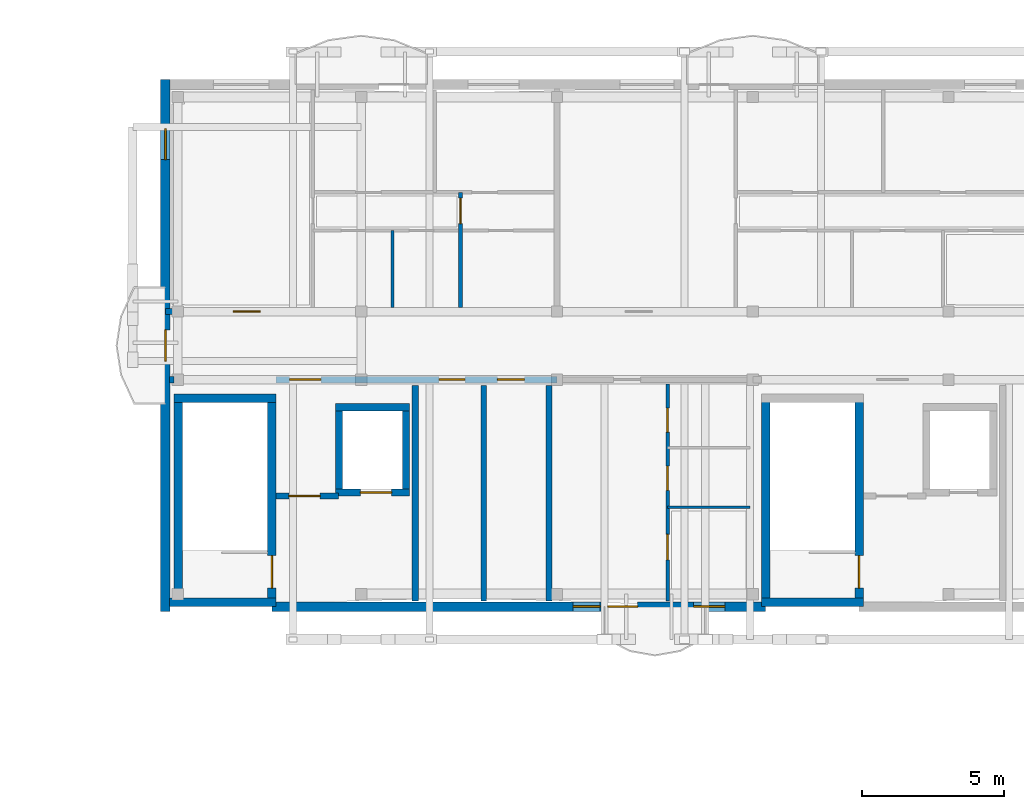
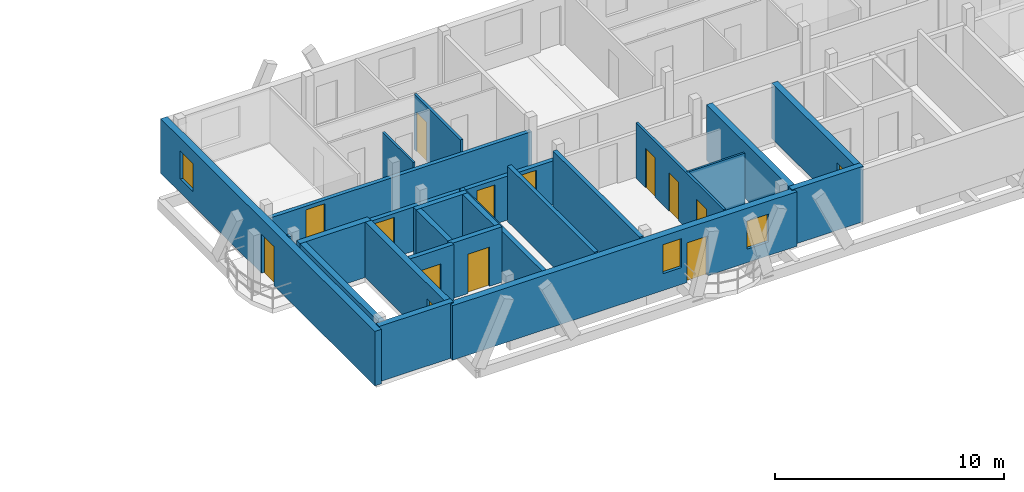
# One storey, part 18 of 29: 24 walls, 14 doors, 3 windows, 17 openings.
"""IFC4 building model written with IfcOpenShell, lengths in metres."""

import ifcopenshell
import ifcopenshell.guid

model = None  # the IFC model being written
_history = None  # IfcOwnerHistory: only IFC2X3 demands one
_inside = {}  # id of a spatial element -> (the spatial element, [elements in it])
_under = {}  # id of a project, library or spatial element -> (it, [spatial elements below it])
_declared = {}  # id of a project -> (the project, [libraries it declares])
_typed = {}  # id of a type object -> (the type object, [elements of that type])
_made_of = {}  # id of a material, layer set ... -> (it, [elements and type objects made of it])


def new_model(schema):
    """Start an empty IFC model of exactly this schema.

    Asked for "IFC4X3", IfcOpenShell would pick the latest addendum, in which some entities
    have other attributes; the version numbers below select the first issue.
    IFC2X3 requires an IfcOwnerHistory on every rooted entity: one is made here for all.
    """
    global model, _history
    if schema == "IFC4X3":
        model = ifcopenshell.file(schema_version=(4, 3, 0, 0))
    else:
        model = ifcopenshell.file(schema=schema)
    _inside.clear()
    _under.clear()
    _declared.clear()
    _typed.clear()
    _made_of.clear()
    _history = None
    if model.schema == "IFC2X3":
        org = make("IfcOrganization", Name="unknown")
        user = make(
            "IfcPersonAndOrganization",
            ThePerson=make("IfcPerson", FamilyName="unknown"),
            TheOrganization=org,
        )
        app = make(
            "IfcApplication",
            ApplicationDeveloper=org,
            Version="unknown",
            ApplicationFullName="unknown",
            ApplicationIdentifier="unknown",
        )
        _history = make(
            "IfcOwnerHistory",
            OwningUser=user,
            OwningApplication=app,
            ChangeAction="ADDED",
            CreationDate=0,
        )
    return model


def make(cls, **values):
    """One entity of the class cls with the attributes given. An attribute that is None is left unset."""
    return model.create_entity(
        cls, **{name: value for name, value in values.items() if value is not None}
    )


def rooted(cls, **values):
    """An entity with a GlobalId (a new one), such as an element, a storey or a relation."""
    return make(cls, GlobalId=ifcopenshell.guid.new(), OwnerHistory=_history, **values)


def si_unit(unit_type, name, prefix=None):
    """IfcSIUnit, for example si_unit("LENGTHUNIT", "METRE", prefix="MILLI")."""
    return make("IfcSIUnit", UnitType=unit_type, Prefix=prefix, Name=name)


def assignment(units):
    """IfcUnitAssignment: the units of a project."""
    return None if units is None else make("IfcUnitAssignment", Units=units)


def point(xyz):
    """IfcCartesianPoint."""
    return None if xyz is None else make("IfcCartesianPoint", Coordinates=xyz)


def direction(xyz):
    """IfcDirection."""
    return None if xyz is None else make("IfcDirection", DirectionRatios=xyz)


def frame(location, z_axis=None, x_axis=None):
    """IfcAxis2Placement3D, a coordinate frame: its origin and axes. An axis left out is left unset."""
    return make(
        "IfcAxis2Placement3D",
        Location=point(location),
        Axis=direction(z_axis),
        RefDirection=direction(x_axis),
    )


def frame_2d(location, x_axis=None):
    """IfcAxis2Placement2D, a coordinate frame in the plane: its origin and x axis."""
    return make(
        "IfcAxis2Placement2D", Location=point(location), RefDirection=direction(x_axis)
    )


def origin():
    """The frame at (0, 0, 0) with its axes left unset."""
    return frame((0.0, 0.0, 0.0))


def origin_with_axes():
    """The frame at (0, 0, 0) with the z axis (0, 0, 1) and the x axis (1, 0, 0) written out."""
    return frame((0.0, 0.0, 0.0), z_axis=(0.0, 0.0, 1.0), x_axis=(1.0, 0.0, 0.0))


def place(relative_to, where):
    """IfcLocalPlacement: puts the frame where relative to a parent placement (None: the world)."""
    return make(
        "IfcLocalPlacement", PlacementRelTo=relative_to, RelativePlacement=where
    )


def context(
    kind, dimensions, precision=None, world=None, true_north=None, identifier=None
):
    """IfcGeometricRepresentationContext, for example the 3D "Model" context."""
    return make(
        "IfcGeometricRepresentationContext",
        ContextIdentifier=identifier,
        ContextType=kind,
        CoordinateSpaceDimension=dimensions,
        Precision=precision,
        WorldCoordinateSystem=world,
        TrueNorth=true_north,
    )


def subcontext(parent, identifier, kind, view, scale=None):
    """IfcGeometricRepresentationSubContext, for example "Body" below "Model"."""
    return make(
        "IfcGeometricRepresentationSubContext",
        ContextIdentifier=identifier,
        ContextType=kind,
        ParentContext=parent,
        TargetScale=scale,
        TargetView=view,
    )


def project(units=None, contexts=None):
    """IfcProject with its units and contexts."""
    return rooted(
        "IfcProject",
        Name="project",
        RepresentationContexts=contexts,
        UnitsInContext=assignment(units),
    )


def spatial(cls, under=None, at=None, **own):
    """A site, building, storey or space (cls), placed at a placement, below another one or the project."""
    s = rooted(cls, ObjectPlacement=at, **own)
    if under is not None:
        _under.setdefault(under.id(), (under, []))[1].append(s)
    return s


def profile(cls, at=None, kind="AREA", **sizes):
    """A parametric profile (cls). Its sizes go by their IFC names, for example OverallWidth=200.0."""
    return make(cls, ProfileType=kind, Position=at, **sizes)


def rectangle(**sizes):
    """IfcRectangleProfileDef."""
    return profile("IfcRectangleProfileDef", **sizes)


def extrude(swept, where, along, depth):
    """IfcExtrudedAreaSolid: the profile swept, set in the frame where, extruded along a direction by depth."""
    return make(
        "IfcExtrudedAreaSolid",
        SweptArea=swept,
        Position=where,
        ExtrudedDirection=direction(along),
        Depth=depth,
    )


def shape(context_of_items, identifier, shape_type, items):
    """IfcShapeRepresentation: the items that make up one representation, for example the "Body"."""
    return make(
        "IfcShapeRepresentation",
        ContextOfItems=context_of_items,
        RepresentationIdentifier=identifier,
        RepresentationType=shape_type,
        Items=items,
    )


def material(Name=None, Category=None):
    """IfcMaterial."""
    return make("IfcMaterial", Name=Name, Category=Category)


def layer(
    of_material, thickness, ventilated=None, Name=None, Category=None, Priority=None
):
    """IfcMaterialLayer: one layer of a wall or slab, of a material (None: an air gap)."""
    return make(
        "IfcMaterialLayer",
        Material=of_material,
        LayerThickness=thickness,
        IsVentilated=ventilated,
        Name=Name,
        Category=Category,
        Priority=Priority,
    )


def layer_set(layers, Name=None):
    """IfcMaterialLayerSet."""
    return make("IfcMaterialLayerSet", MaterialLayers=layers, LayerSetName=Name)


def made_of(thing, what):
    """Note that an element or type object is made of a material, layer set ...; save() writes the relation."""
    if what is not None:
        _made_of.setdefault(what.id(), (what, []))[1].append(thing)
    return thing


def type_object(cls, material=None, **own):
    """A type object (cls), such as IfcWallType, which elements share."""
    return made_of(rooted(cls, **own), material)


def element(
    cls,
    number,
    at=None,
    inside=None,
    cuts=None,
    type_object=None,
    material=None,
    context=None,
    identifier="Body",
    shape_type=None,
    held_by="IfcProductDefinitionShape",
    body=None,
    shapes=None,
    **own,
):
    """One element of the class cls, such as IfcWall. Its Tag is "e" and its number.

    at: its placement. inside: the storey or other place that contains it. cuts: it is an
    opening in that element (IfcRelVoidsElement). A single representation is given by context,
    identifier, shape_type and body (its items); several are given by shapes. held_by: the class
    of the entity that holds the representations. save() writes the other relations.
    """
    e = rooted(cls, Tag="e%d" % number, ObjectPlacement=at, **own)
    if body is not None:
        shapes = [shape(context, identifier, shape_type, body)]
    if shapes is not None:
        e.Representation = make(held_by, Representations=shapes)
    if inside is not None:
        _inside.setdefault(inside.id(), (inside, []))[1].append(e)
    if cuts is not None:
        rooted(
            "IfcRelVoidsElement", RelatingBuildingElement=cuts, RelatedOpeningElement=e
        )
    if type_object is not None:
        _typed.setdefault(type_object.id(), (type_object, []))[1].append(e)
    return made_of(e, material)


def fill(opening, filler):
    """IfcRelFillsElement: the door or window that sits in an opening."""
    return rooted(
        "IfcRelFillsElement",
        RelatingOpeningElement=opening,
        RelatedBuildingElement=filler,
    )


def aggregate(whole, parts):
    """IfcRelAggregates: a whole, such as a stair, and the parts it consists of."""
    return rooted("IfcRelAggregates", RelatingObject=whole, RelatedObjects=parts)


def save(model, path):
    """Write the relations noted so far, then the file.

    IfcRelAggregates (storeys below a building ...), IfcRelContainedInSpatialStructure (elements
    in a storey), IfcRelDefinesByType, IfcRelAssociatesMaterial and IfcRelDeclares: one each for
    every whole, place, type object, material and project.
    """
    for whole, parts in _under.values():
        aggregate(whole, parts)
    for where, things in _inside.values():
        rooted(
            "IfcRelContainedInSpatialStructure",
            RelatedElements=things,
            RelatingStructure=where,
        )
    for kind, things in _typed.values():
        rooted("IfcRelDefinesByType", RelatedObjects=things, RelatingType=kind)
    for what, things in _made_of.values():
        rooted("IfcRelAssociatesMaterial", RelatedObjects=things, RelatingMaterial=what)
    for by, libraries in _declared.values():
        rooted("IfcRelDeclares", RelatingContext=by, RelatedDefinitions=libraries)
    model.write(path)


model = new_model("IFC4")

# Units and contexts
model_context = context("Model", 3, precision=1e-05, world=origin(), true_north=direction((0.0, 1.0)))
body_context = subcontext(model_context, "Body", "Model", "MODEL_VIEW")
ifc_project = project(units=[si_unit("LENGTHUNIT", "METRE"), si_unit("AREAUNIT", "SQUARE_METRE"), si_unit("VOLUMEUNIT", "CUBIC_METRE"), si_unit("PLANEANGLEUNIT", "RADIAN"), si_unit("MASSUNIT", "GRAM", prefix="KILO")], contexts=[model_context])

# Site, building, storey
site_placement = place(None, origin())
site = spatial("IfcSite", under=ifc_project, at=site_placement, CompositionType="ELEMENT")
building_placement = place(site_placement, origin())
building = spatial("IfcBuilding", under=site, at=building_placement, Name="Zavelmont Quarter", CompositionType="ELEMENT")
storey_placement = place(building_placement, frame((0.0, 0.0, 33.60009765625)))
storey = spatial("IfcBuildingStorey", under=building, at=storey_placement, Name="L10", CompositionType="ELEMENT", Elevation=33.60009765625)

# Wall, openings, door, windows
ifc_material_1 = material(Name="Natural Belgian limestone", Category="masonry")
ifc_layer_1 = layer(ifc_material_1, 0.340087890625)
ifc_layer_set_1 = layer_set([ifc_layer_1], Name="Natural Belgian limestone")
wall_type_1 = type_object("IfcWallType", Name="EW03", PredefinedType="STANDARD", material=ifc_layer_set_1)
wall_1_placement = place(storey_placement, frame((130.35009765625, 97.60009765625, 0.0), z_axis=(0.0, 0.0, 1.0), x_axis=(1.0, 0.0, 0.0)))
wall_1 = element("IfcWall", 1, at=wall_1_placement, inside=storey, type_object=wall_type_1, Name="L10 exterior limestone wall EW03", PredefinedType="STANDARD", context=body_context, shape_type="SweptSolid", body=[
    extrude(rectangle(XDim=17.39990234375, YDim=0.340087890625, at=frame_2d((8.699951171875, 0.0))), origin(), (0.0, 0.0, 1.0), 2.909912109375),
])
opening_1_placement = place(wall_1_placement, frame((11.843505859375, 0.0, 0.0)))
opening_1 = element("IfcOpeningElement", 2, at=opening_1_placement, cuts=wall_1, Name="Opening DR04A", PredefinedType="OPENING", context=body_context, shape_type="SweptSolid", body=[
    extrude(rectangle(XDim=1.050048828125, YDim=2.1201171875, at=frame_2d((0.52490234375, 1.06005859375))), frame((0.0, 0.18212890625, 0.0), z_axis=(0.0, -1.0, 0.0), x_axis=(1.0, 0.0, 0.0)), (0.0, 0.0, 1.0), 0.364013671875),
])
opening_2_placement = place(wall_1_placement, frame((10.6201171875, 0.0, 0.89990234375)))
opening_2 = element("IfcOpeningElement", 3, at=opening_2_placement, cuts=wall_1, Name="Opening WN04", PredefinedType="OPENING", context=body_context, shape_type="SweptSolid", body=[
    extrude(rectangle(XDim=0.949951171875, YDim=1.550048828125, at=frame_2d((0.47509765625, 0.77490234375))), frame((0.0, 0.18212890625, 0.0), z_axis=(0.0, -1.0, 0.0), x_axis=(1.0, 0.0, 0.0)), (0.0, 0.0, 1.0), 0.364013671875),
])
opening_3_placement = place(wall_1_placement, frame((14.8701171875, 0.0, 0.719970703125)))
opening_3 = element("IfcOpeningElement", 4, at=opening_3_placement, cuts=wall_1, Name="Opening WN09", PredefinedType="OPENING", context=body_context, shape_type="SweptSolid", body=[
    extrude(rectangle(XDim=1.10009765625, YDim=1.5, at=frame_2d((0.550048828125, 0.75))), frame((0.0, 0.18212890625, 0.0), z_axis=(0.0, -1.0, 0.0), x_axis=(1.0, 0.0, 0.0)), (0.0, 0.0, 1.0), 0.364013671875),
])
ifc_material_2 = material(Name="Thermally broken aluminium and double safety glass", Category="aluminium")
door_type_1 = type_object("IfcDoorType", Name="DR04A", OperationType="NOTDEFINED", PredefinedType="DOOR", material=ifc_material_2)
door_1_placement = place(opening_1_placement, origin_with_axes())
door_1 = element("IfcDoor", 5, at=door_1_placement, inside=storey, type_object=door_type_1, Name="Block C L10 glazed balcony door", OperationType="SINGLE_SWING_RIGHT", OverallHeight=2.1201171875, OverallWidth=1.050048828125, PredefinedType="DOOR", context=body_context, shape_type="SweptSolid", body=[
    extrude(rectangle(XDim=1.050048828125, YDim=2.1201171875, at=frame_2d((0.52490234375, 1.06005859375))), frame((0.0, 0.02490234375, 0.0), z_axis=(0.0, -1.0, 0.0), x_axis=(1.0, 0.0, 0.0)), (0.0, 0.0, 1.0), 0.050048828125),
])
fill(opening_1, door_1)
ifc_material_3 = material(Name="Double low-E insulated glazing in thermally broken aluminium frame", Category="aluminium")
window_type_1 = type_object("IfcWindowType", Name="WN04", PartitioningType="SINGLE_PANEL", PredefinedType="WINDOW", material=ifc_material_3)
window_1_placement = place(opening_2_placement, origin_with_axes())
window_1 = element("IfcWindow", 6, at=window_1_placement, inside=storey, type_object=window_type_1, Name="L10 window WN04", OverallHeight=1.550048828125, OverallWidth=0.949951171875, PartitioningType="SINGLE_PANEL", PredefinedType="WINDOW", context=body_context, shape_type="SweptSolid", body=[
    extrude(rectangle(XDim=0.949951171875, YDim=1.550048828125, at=frame_2d((0.47509765625, 0.77490234375))), frame((0.0, 0.030029296875, 0.0), z_axis=(0.0, -1.0, 0.0), x_axis=(1.0, 0.0, 0.0)), (0.0, 0.0, 1.0), 0.06005859375),
])
fill(opening_2, window_1)
window_type_2 = type_object("IfcWindowType", Name="WN09", PartitioningType="SINGLE_PANEL", PredefinedType="WINDOW", material=ifc_material_3)
window_2_placement = place(opening_3_placement, origin_with_axes())
window_2 = element("IfcWindow", 7, at=window_2_placement, inside=storey, type_object=window_type_2, Name="L10 window WN09", OverallHeight=1.5, OverallWidth=1.10009765625, PartitioningType="SINGLE_PANEL", PredefinedType="WINDOW", context=body_context, shape_type="SweptSolid", body=[
    extrude(rectangle(XDim=1.10009765625, YDim=1.5, at=frame_2d((0.550048828125, 0.75))), frame((0.0, 0.030029296875, 0.0), z_axis=(0.0, -1.0, 0.0), x_axis=(1.0, 0.0, 0.0)), (0.0, 0.0, 1.0), 0.06005859375),
])
fill(opening_3, window_2)

# Wall, openings, door, window
wall_2_placement = place(storey_placement, frame((126.60009765625, 97.429931640625, 0.0), z_axis=(0.0, 0.0, 1.0), x_axis=(0.0, 1.0, 0.0)))
wall_2 = element("IfcWall", 8, at=wall_2_placement, inside=storey, type_object=wall_type_1, Name="L10 exterior limestone wall EW03", PredefinedType="STANDARD", context=body_context, shape_type="SweptSolid", body=[
    extrude(rectangle(XDim=18.739990234375, YDim=0.340087890625, at=frame_2d((9.3701171875, 0.0))), origin(), (0.0, 0.0, 1.0), 2.909912109375),
])
opening_4_placement = place(wall_2_placement, frame((8.820068359375, 0.0, 0.0)))
opening_4 = element("IfcOpeningElement", 9, at=opening_4_placement, cuts=wall_2, Name="Opening DR04B", PredefinedType="OPENING", context=body_context, shape_type="SweptSolid", body=[
    extrude(rectangle(XDim=1.10009765625, YDim=2.10009765625, at=frame_2d((0.550048828125, 1.050048828125))), frame((0.0, 0.18212890625, 0.0), z_axis=(0.0, -1.0, 0.0), x_axis=(1.0, 0.0, 0.0)), (0.0, 0.0, 1.0), 0.364013671875),
])
opening_5_placement = place(wall_2_placement, frame((15.919921875, 0.0, 0.719970703125)))
opening_5 = element("IfcOpeningElement", 10, at=opening_5_placement, cuts=wall_2, Name="Opening WN09", PredefinedType="OPENING", context=body_context, shape_type="SweptSolid", body=[
    extrude(rectangle(XDim=1.10009765625, YDim=1.5, at=frame_2d((0.550048828125, 0.75))), frame((0.0, 0.18212890625, 0.0), z_axis=(0.0, -1.0, 0.0), x_axis=(1.0, 0.0, 0.0)), (0.0, 0.0, 1.0), 0.364013671875),
])
door_type_2 = type_object("IfcDoorType", Name="DR04B", OperationType="NOTDEFINED", PredefinedType="DOOR", material=ifc_material_2)
door_2_placement = place(opening_4_placement, frame((1.10009765625, 0.0, 0.0), z_axis=(0.0, 0.0, 1.0), x_axis=(-1.0, 0.0, 0.0)))
door_2 = element("IfcDoor", 11, at=door_2_placement, inside=storey, type_object=door_type_2, Name="Block C L10 terrace or vase balcony door", OperationType="SINGLE_SWING_RIGHT", OverallHeight=2.10009765625, OverallWidth=1.10009765625, PredefinedType="DOOR", context=body_context, shape_type="SweptSolid", body=[
    extrude(rectangle(XDim=1.10009765625, YDim=2.10009765625, at=frame_2d((0.550048828125, 1.050048828125))), frame((0.0, 0.02490234375, 0.0), z_axis=(0.0, -1.0, 0.0), x_axis=(1.0, 0.0, 0.0)), (0.0, 0.0, 1.0), 0.050048828125),
])
fill(opening_4, door_2)
window_3_placement = place(opening_5_placement, origin_with_axes())
window_3 = element("IfcWindow", 12, at=window_3_placement, inside=storey, type_object=window_type_2, Name="L10 window WN09", OverallHeight=1.5, OverallWidth=1.10009765625, PartitioningType="SINGLE_PANEL", PredefinedType="WINDOW", context=body_context, shape_type="SweptSolid", body=[
    extrude(rectangle(XDim=1.10009765625, YDim=1.5, at=frame_2d((0.550048828125, 0.75))), frame((0.0, 0.030029296875, 0.0), z_axis=(0.0, -1.0, 0.0), x_axis=(1.0, 0.0, 0.0)), (0.0, 0.0, 1.0), 0.06005859375),
])
fill(opening_5, window_3)

# Walls
ifc_material_4 = material(Name="Calcium-silicate blockwork and acoustic plaster", Category="masonry")
ifc_layer_2 = layer(ifc_material_4, 0.199951171875)
ifc_layer_set_2 = layer_set([ifc_layer_2], Name="Calcium-silicate blockwork and acoustic plaster")
wall_type_2 = type_object("IfcWallType", Name="IW01", PredefinedType="PARTITIONING", material=ifc_layer_set_2)
for number, where, z_axis, x_axis, name in (
    (13, (137.824951171875, 97.800048828125, 0.0), (0.0, 0.0, 1.0), (0.0, 1.0, 0.0), "L10 Service riser divider wall IW01"),
    (14, (140.1201171875, 97.800048828125, 0.0), (0.0, 0.0, 1.0), (0.0, 1.0, 0.0), "L10 Core service end wall IW01"),
):
    element("IfcWall", number, at=place(storey_placement, frame(where, z_axis=z_axis, x_axis=x_axis)), inside=storey, type_object=wall_type_2, Name=name, PredefinedType="PARTITIONING", context=body_context, shape_type="SweptSolid", body=[
        extrude(rectangle(XDim=7.599853515625, YDim=0.199951171875, at=frame_2d((3.7998046875, 0.0))), origin(), (0.0, 0.0, 1.0), 2.9599609375),
    ])

# Wall, opening, door
wall_3_placement = place(storey_placement, frame((126.60009765625, 108.0, 0.0), z_axis=(0.0, 0.0, 1.0), x_axis=(1.0, 0.0, 0.0)))
wall_3 = element("IfcWall", 15, at=wall_3_placement, inside=storey, type_object=wall_type_2, Name="L10 Corridor compartment wall IW01", PredefinedType="PARTITIONING", context=body_context, shape_type="SweptSolid", body=[
    extrude(rectangle(XDim=13.7998046875, YDim=0.199951171875, at=frame_2d((6.89990234375, 0.0))), origin(), (0.0, 0.0, 1.0), 2.349853515625),
])
opening_6_placement = place(wall_3_placement, frame((2.39990234375, 0.0, 0.0)))
opening_6 = element("IfcOpeningElement", 16, at=opening_6_placement, cuts=wall_3, Name="Opening DR02", PredefinedType="OPENING", context=body_context, shape_type="SweptSolid", body=[
    extrude(rectangle(XDim=0.949951171875, YDim=2.14990234375, at=frame_2d((0.47509765625, 1.074951171875))), frame((0.0, 0.11181640625, 0.0), z_axis=(0.0, -1.0, 0.0), x_axis=(1.0, 0.0, 0.0)), (0.0, 0.0, 1.0), 0.223876953125),
])
ifc_material_5 = material(Name="Solid-core oak fire leaf in steel frame", Category="steel")
door_type_3 = type_object("IfcDoorType", Name="DR02", OperationType="NOTDEFINED", PredefinedType="DOOR", material=ifc_material_5)
door_3_placement = place(opening_6_placement, origin_with_axes())
door_3 = element("IfcDoor", 17, at=door_3_placement, inside=storey, type_object=door_type_3, Name="L10 door DR02", OperationType="SINGLE_SWING_LEFT", OverallHeight=2.14990234375, OverallWidth=0.949951171875, PredefinedType="DOOR", context=body_context, shape_type="SweptSolid", body=[
    extrude(rectangle(XDim=0.949951171875, YDim=2.14990234375, at=frame_2d((0.47509765625, 1.074951171875))), frame((0.0, 0.02490234375, 0.0), z_axis=(0.0, -1.0, 0.0), x_axis=(1.0, 0.0, 0.0)), (0.0, 0.0, 1.0), 0.050048828125),
])
fill(opening_6, door_3)

# Wall
ifc_material_6 = material(Name="Reinforced masonry fire compartment wall", Category="masonry")
ifc_layer_3 = layer(ifc_material_6, 0.22509765625)
ifc_layer_set_3 = layer_set([ifc_layer_3], Name="Reinforced masonry fire compartment wall")
wall_type_3 = type_object("IfcWallType", Name="IW02", PredefinedType="PARTITIONING", material=ifc_layer_set_3)
wall_4_placement = place(storey_placement, frame((135.409912109375, 97.800048828125, 0.0), z_axis=(0.0, 0.0, 1.0), x_axis=(0.0, 1.0, 0.0)))
element("IfcWall", 18, at=wall_4_placement, inside=storey, type_object=wall_type_3, Name="L10 Firefighting lobby enclosure wall IW02", PredefinedType="PARTITIONING", context=body_context, shape_type="SweptSolid", body=[
    extrude(rectangle(XDim=7.599853515625, YDim=0.22509765625, at=frame_2d((3.7998046875, 0.0))), origin(), (0.0, 0.0, 1.0), 2.58984375),
])

# Wall, opening, door
wall_5_placement = place(storey_placement, frame((130.5, 101.5, 0.0), z_axis=(0.0, 0.0, 1.0), x_axis=(1.0, 0.0, 0.0)))
wall_5 = element("IfcWall", 19, at=wall_5_placement, inside=storey, type_object=wall_type_3, Name="L10 Firefighting lobby threshold wall IW02", PredefinedType="PARTITIONING", context=body_context, shape_type="SweptSolid", body=[
    extrude(rectangle(XDim=2.199951171875, YDim=0.22509765625, at=frame_2d((1.10009765625, 0.0))), origin(), (0.0, 0.0, 1.0), 2.9599609375),
])
opening_7_placement = place(wall_5_placement, frame((0.449951171875, 0.0, 0.0)))
opening_7 = element("IfcOpeningElement", 20, at=opening_7_placement, cuts=wall_5, Name="Opening DR10", PredefinedType="OPENING", context=body_context, shape_type="SweptSolid", body=[
    extrude(rectangle(XDim=1.10009765625, YDim=2.14990234375, at=frame_2d((0.550048828125, 1.074951171875))), frame((0.0, 0.12451171875, 0.0), z_axis=(0.0, -1.0, 0.0), x_axis=(1.0, 0.0, 0.0)), (0.0, 0.0, 1.0), 0.2490234375),
])
ifc_material_7 = material(Name="Painted steel lobby fire door", Category="steel")
door_type_4 = type_object("IfcDoorType", Name="DR10", OperationType="NOTDEFINED", PredefinedType="DOOR", material=ifc_material_7)
door_4_placement = place(opening_7_placement, frame((1.10009765625, 0.0, 0.0), z_axis=(0.0, 0.0, 1.0), x_axis=(-1.0, 0.0, 0.0)))
door_4 = element("IfcDoor", 21, at=door_4_placement, inside=storey, type_object=door_type_4, Name="Firefighting lobby fire door", OperationType="SINGLE_SWING_RIGHT", OverallHeight=2.14990234375, OverallWidth=1.10009765625, PredefinedType="DOOR", context=body_context, shape_type="SweptSolid", body=[
    extrude(rectangle(XDim=1.10009765625, YDim=2.14990234375, at=frame_2d((0.550048828125, 1.074951171875))), frame((0.0, 0.02490234375, 0.0), z_axis=(0.0, -1.0, 0.0), x_axis=(1.0, 0.0, 0.0)), (0.0, 0.0, 1.0), 0.050048828125),
])
fill(opening_7, door_4)

# Wall
wall_6_placement = place(storey_placement, frame((126.75, 105.60009765625, 0.0), z_axis=(0.0, 0.0, 1.0), x_axis=(1.0, 0.0, 0.0)))
element("IfcWall", 22, at=wall_6_placement, inside=storey, type_object=wall_type_3, Name="L10 Core corridor wall IW02", PredefinedType="PARTITIONING", context=body_context, shape_type="SweptSolid", body=[
    extrude(rectangle(XDim=0.14990234375, YDim=0.22509765625, at=frame_2d((0.074951171875, 0.0))), origin(), (0.0, 0.0, 1.0), 2.9599609375),
])

# Wall, openings, doors
wall_7_placement = place(storey_placement, frame((130.5, 105.60009765625, 0.0), z_axis=(0.0, 0.0, 1.0), x_axis=(1.0, 0.0, 0.0)))
wall_7 = element("IfcWall", 23, at=wall_7_placement, inside=storey, type_object=wall_type_3, Name="L10 Core corridor fire wall IW02", PredefinedType="PARTITIONING", context=body_context, shape_type="SweptSolid", body=[
    extrude(rectangle(XDim=9.89990234375, YDim=0.22509765625, at=frame_2d((4.949951171875, 0.0))), origin(), (0.0, 0.0, 1.0), 2.349853515625),
])
opening_8_placement = place(wall_7_placement, frame((0.47509765625, 0.0, 0.0)))
opening_8 = element("IfcOpeningElement", 24, at=opening_8_placement, cuts=wall_7, Name="Opening DR10", PredefinedType="OPENING", context=body_context, shape_type="SweptSolid", body=[
    extrude(rectangle(XDim=1.10009765625, YDim=2.14990234375, at=frame_2d((0.550048828125, 1.074951171875))), frame((0.0, 0.12451171875, 0.0), z_axis=(0.0, -1.0, 0.0), x_axis=(1.0, 0.0, 0.0)), (0.0, 0.0, 1.0), 0.2490234375),
])
opening_9_placement = place(wall_7_placement, frame((5.75, 0.0, 0.0)))
opening_9 = element("IfcOpeningElement", 25, at=opening_9_placement, cuts=wall_7, Name="Opening DR11", PredefinedType="OPENING", context=body_context, shape_type="SweptSolid", body=[
    extrude(rectangle(XDim=0.89990234375, YDim=2.10009765625, at=frame_2d((0.449951171875, 1.050048828125))), frame((0.0, 0.12451171875, 0.0), z_axis=(0.0, -1.0, 0.0), x_axis=(1.0, 0.0, 0.0)), (0.0, 0.0, 1.0), 0.2490234375),
])
opening_10_placement = place(wall_7_placement, frame((7.800048828125, 0.0, 0.0)))
opening_10 = element("IfcOpeningElement", 26, at=opening_10_placement, cuts=wall_7, Name="Opening DR02", PredefinedType="OPENING", context=body_context, shape_type="SweptSolid", body=[
    extrude(rectangle(XDim=0.949951171875, YDim=2.14990234375, at=frame_2d((0.47509765625, 1.074951171875))), frame((0.0, 0.12451171875, 0.0), z_axis=(0.0, -1.0, 0.0), x_axis=(1.0, 0.0, 0.0)), (0.0, 0.0, 1.0), 0.2490234375),
])
door_5_placement = place(opening_10_placement, origin_with_axes())
door_5 = element("IfcDoor", 27, at=door_5_placement, inside=storey, type_object=door_type_3, Name="Auxiliary store corridor door", OperationType="SINGLE_SWING_RIGHT", OverallHeight=2.14990234375, OverallWidth=0.949951171875, PredefinedType="DOOR", context=body_context, shape_type="SweptSolid", body=[
    extrude(rectangle(XDim=0.949951171875, YDim=2.14990234375, at=frame_2d((0.47509765625, 1.074951171875))), frame((0.0, 0.02490234375, 0.0), z_axis=(0.0, -1.0, 0.0), x_axis=(1.0, 0.0, 0.0)), (0.0, 0.0, 1.0), 0.050048828125),
])
fill(opening_10, door_5)
door_6_placement = place(opening_8_placement, frame((1.10009765625, 0.0, 0.0), z_axis=(0.0, 0.0, 1.0), x_axis=(-1.0, 0.0, 0.0)))
door_6 = element("IfcDoor", 28, at=door_6_placement, inside=storey, type_object=door_type_4, Name="Core vestibule fire door", OperationType="SINGLE_SWING_LEFT", OverallHeight=2.14990234375, OverallWidth=1.10009765625, PredefinedType="DOOR", context=body_context, shape_type="SweptSolid", body=[
    extrude(rectangle(XDim=1.10009765625, YDim=2.14990234375, at=frame_2d((0.550048828125, 1.074951171875))), frame((0.0, 0.02490234375, 0.0), z_axis=(0.0, -1.0, 0.0), x_axis=(1.0, 0.0, 0.0)), (0.0, 0.0, 1.0), 0.050048828125),
])
fill(opening_8, door_6)
ifc_material_8 = material(Name="Painted steel service-riser fire door", Category="steel")
door_type_5 = type_object("IfcDoorType", Name="DR11", OperationType="NOTDEFINED", PredefinedType="DOOR", material=ifc_material_8)
door_7_placement = place(opening_9_placement, origin_with_axes())
door_7 = element("IfcDoor", 29, at=door_7_placement, inside=storey, type_object=door_type_5, Name="Service riser fire door", OperationType="SINGLE_SWING_LEFT", OverallHeight=2.10009765625, OverallWidth=0.89990234375, PredefinedType="DOOR", context=body_context, shape_type="SweptSolid", body=[
    extrude(rectangle(XDim=0.89990234375, YDim=2.10009765625, at=frame_2d((0.449951171875, 1.050048828125))), frame((0.0, 0.02490234375, 0.0), z_axis=(0.0, -1.0, 0.0), x_axis=(1.0, 0.0, 0.0)), (0.0, 0.0, 1.0), 0.050048828125),
])
fill(opening_9, door_7)

# Wall, opening, door
ifc_material_9 = material(Name="Double gypsum board on acoustic steel stud", Category="steel")
ifc_layer_4 = layer(ifc_material_9, 0.125)
ifc_layer_set_4 = layer_set([ifc_layer_4], Name="Double gypsum board on acoustic steel stud")
wall_type_4 = type_object("IfcWallType", Name="IW03", PredefinedType="PARTITIONING", material=ifc_layer_set_4)
wall_8_placement = place(storey_placement, frame((137.0, 108.14990234375, 0.0), z_axis=(0.0, 0.0, 1.0), x_axis=(0.0, 1.0, 0.0)))
wall_8 = element("IfcWall", 30, at=wall_8_placement, inside=storey, type_object=wall_type_4, Name="L10 Partition IW03", PredefinedType="PARTITIONING", context=body_context, shape_type="SweptSolid", body=[
    extrude(rectangle(XDim=4.050048828125, YDim=0.125, at=frame_2d((2.02490234375, 0.0))), origin(), (0.0, 0.0, 1.0), 2.9599609375),
])
opening_11_placement = place(wall_8_placement, frame((2.949951171875, 0.0, 0.0)))
opening_11 = element("IfcOpeningElement", 31, at=opening_11_placement, cuts=wall_8, Name="Opening DR05", PredefinedType="OPENING", context=body_context, shape_type="SweptSolid", body=[
    extrude(rectangle(XDim=0.89990234375, YDim=2.10009765625, at=frame_2d((0.449951171875, 1.050048828125))), frame((0.0, 0.074462890625, 0.0), z_axis=(0.0, -1.0, 0.0), x_axis=(1.0, 0.0, 0.0)), (0.0, 0.0, 1.0), 0.14892578125),
])
ifc_material_10 = material(Name="Engineered oak flush interior door")
door_type_6 = type_object("IfcDoorType", Name="DR05", OperationType="NOTDEFINED", PredefinedType="DOOR", material=ifc_material_10)
door_8_placement = place(opening_11_placement, origin_with_axes())
door_8 = element("IfcDoor", 32, at=door_8_placement, inside=storey, type_object=door_type_6, Name="L10 door DR05", OperationType="SINGLE_SWING_RIGHT", OverallHeight=2.10009765625, OverallWidth=0.89990234375, PredefinedType="DOOR", context=body_context, shape_type="SweptSolid", body=[
    extrude(rectangle(XDim=0.89990234375, YDim=2.10009765625, at=frame_2d((0.449951171875, 1.050048828125))), frame((0.0, 0.02490234375, 0.0), z_axis=(0.0, -1.0, 0.0), x_axis=(1.0, 0.0, 0.0)), (0.0, 0.0, 1.0), 0.050048828125),
])
fill(opening_11, door_8)

# Wall, openings, doors
wall_9_placement = place(storey_placement, frame((144.300048828125, 105.449951171875, 0.0), z_axis=(0.0, 0.0, 1.0), x_axis=(0.0, -1.0, 0.0)))
wall_9 = element("IfcWall", 33, at=wall_9_placement, inside=storey, type_object=wall_type_4, Name="L10 Partition IW03", PredefinedType="PARTITIONING", context=body_context, shape_type="SweptSolid", body=[
    extrude(rectangle(XDim=7.64990234375, YDim=0.125, at=frame_2d((3.824951171875, 0.0))), origin(), (0.0, 0.0, 1.0), 2.9599609375),
])
opening_12_placement = place(wall_9_placement, frame((0.85009765625, 0.0, 0.0)))
opening_12 = element("IfcOpeningElement", 34, at=opening_12_placement, cuts=wall_9, Name="Opening DR16", PredefinedType="OPENING", context=body_context, shape_type="SweptSolid", body=[
    extrude(rectangle(XDim=0.85009765625, YDim=2.10009765625, at=frame_2d((0.425048828125, 1.050048828125))), frame((0.0, 0.074462890625, 0.0), z_axis=(0.0, -1.0, 0.0), x_axis=(1.0, 0.0, 0.0)), (0.0, 0.0, 1.0), 0.14892578125),
])
opening_13_placement = place(wall_9_placement, frame((2.89990234375, 0.0, 0.0)))
opening_13 = element("IfcOpeningElement", 35, at=opening_13_placement, cuts=wall_9, Name="Opening DR06", PredefinedType="OPENING", context=body_context, shape_type="SweptSolid", body=[
    extrude(rectangle(XDim=0.85009765625, YDim=2.050048828125, at=frame_2d((0.425048828125, 1.02490234375))), frame((0.0, 0.074462890625, 0.0), z_axis=(0.0, -1.0, 0.0), x_axis=(1.0, 0.0, 0.0)), (0.0, 0.0, 1.0), 0.14892578125),
])
opening_14_placement = place(wall_9_placement, frame((5.300048828125, 0.0, 0.0)))
opening_14 = element("IfcOpeningElement", 36, at=opening_14_placement, cuts=wall_9, Name="Opening DR05", PredefinedType="OPENING", context=body_context, shape_type="SweptSolid", body=[
    extrude(rectangle(XDim=0.89990234375, YDim=2.10009765625, at=frame_2d((0.449951171875, 1.050048828125))), frame((0.0, 0.074462890625, 0.0), z_axis=(0.0, -1.0, 0.0), x_axis=(1.0, 0.0, 0.0)), (0.0, 0.0, 1.0), 0.14892578125),
])
door_9_placement = place(opening_14_placement, origin_with_axes())
door_9 = element("IfcDoor", 37, at=door_9_placement, inside=storey, type_object=door_type_6, Name="L10 door DR05", OperationType="SINGLE_SWING_RIGHT", OverallHeight=2.10009765625, OverallWidth=0.89990234375, PredefinedType="DOOR", context=body_context, shape_type="SweptSolid", body=[
    extrude(rectangle(XDim=0.89990234375, YDim=2.10009765625, at=frame_2d((0.449951171875, 1.050048828125))), frame((0.0, 0.02490234375, 0.0), z_axis=(0.0, -1.0, 0.0), x_axis=(1.0, 0.0, 0.0)), (0.0, 0.0, 1.0), 0.050048828125),
])
fill(opening_14, door_9)
ifc_material_11 = material(Name="Moisture-resistant painted wet-room door")
door_type_7 = type_object("IfcDoorType", Name="DR06", OperationType="NOTDEFINED", PredefinedType="DOOR", material=ifc_material_11)
door_10_placement = place(opening_13_placement, frame((0.85009765625, 0.0, 0.0), z_axis=(0.0, 0.0, 1.0), x_axis=(-1.0, 0.0, 0.0)))
door_10 = element("IfcDoor", 38, at=door_10_placement, inside=storey, type_object=door_type_7, Name="L10 door DR06", OperationType="SINGLE_SWING_LEFT", OverallHeight=2.050048828125, OverallWidth=0.85009765625, PredefinedType="DOOR", context=body_context, shape_type="SweptSolid", body=[
    extrude(rectangle(XDim=0.85009765625, YDim=2.050048828125, at=frame_2d((0.425048828125, 1.02490234375))), frame((0.0, 0.02490234375, 0.0), z_axis=(0.0, -1.0, 0.0), x_axis=(1.0, 0.0, 0.0)), (0.0, 0.0, 1.0), 0.050048828125),
])
fill(opening_13, door_10)
door_type_8 = type_object("IfcDoorType", Name="DR16", OperationType="NOTDEFINED", PredefinedType="DOOR", material=ifc_material_10)
door_11_placement = place(opening_12_placement, origin_with_axes())
door_11 = element("IfcDoor", 39, at=door_11_placement, inside=storey, type_object=door_type_8, Name="L10 door DR16", OperationType="SINGLE_SWING_RIGHT", OverallHeight=2.10009765625, OverallWidth=0.85009765625, PredefinedType="DOOR", context=body_context, shape_type="SweptSolid", body=[
    extrude(rectangle(XDim=0.85009765625, YDim=2.10009765625, at=frame_2d((0.425048828125, 1.050048828125))), frame((0.0, 0.02490234375, 0.0), z_axis=(0.0, -1.0, 0.0), x_axis=(1.0, 0.0, 0.0)), (0.0, 0.0, 1.0), 0.050048828125),
])
fill(opening_12, door_11)

# Walls
ifc_material_12 = material(Name="Moisture-resistant gypsum board on steel stud", Category="steel")
ifc_layer_5 = layer(ifc_material_12, 0.10009765625)
ifc_layer_set_5 = layer_set([ifc_layer_5], Name="Moisture-resistant gypsum board on steel stud")
wall_type_5 = type_object("IfcWallType", Name="IW04", PredefinedType="PARTITIONING", material=ifc_layer_set_5)
wall_10_placement = place(storey_placement, frame((134.60009765625, 108.14990234375, 0.0), z_axis=(0.0, 0.0, 1.0), x_axis=(0.0, 1.0, 0.0)))
element("IfcWall", 40, at=wall_10_placement, inside=storey, type_object=wall_type_5, Name="L10 Partition IW04", PredefinedType="PARTITIONING", context=body_context, shape_type="SweptSolid", body=[
    extrude(rectangle(XDim=2.7001953125, YDim=0.10009765625, at=frame_2d((1.35009765625, 0.0))), origin(), (0.0, 0.0, 1.0), 2.58984375),
])
wall_11_placement = place(storey_placement, frame((144.300048828125, 101.10009765625, 0.0), z_axis=(0.0, 0.0, 1.0), x_axis=(1.0, 0.0, 0.0)))
element("IfcWall", 41, at=wall_11_placement, inside=storey, type_object=wall_type_5, Name="L10 Partition IW04", PredefinedType="PARTITIONING", context=body_context, shape_type="SweptSolid", body=[
    extrude(rectangle(XDim=2.89990234375, YDim=0.10009765625, at=frame_2d((1.449951171875, 0.0))), origin(), (0.0, 0.0, 1.0), 2.9599609375),
])
ifc_material_13 = material(Name="Concrete C40/50", Category="concrete")
ifc_layer_6 = layer(ifc_material_13, 0.300048828125)
ifc_layer_set_6 = layer_set([ifc_layer_6], Name="Concrete C40/50")
wall_type_6 = type_object("IfcWallType", Name="SW01", PredefinedType="SHEAR", material=ifc_layer_set_6)
wall_12_placement = place(storey_placement, frame((126.89990234375, 104.949951171875, 0.0), z_axis=(0.0, 0.0, 1.0), x_axis=(1.0, 0.0, 0.0)))
element("IfcWall", 42, at=wall_12_placement, inside=storey, type_object=wall_type_6, Name="L10 ST05 corridor shear wall SW01", PredefinedType="SHEAR", context=body_context, shape_type="SweptSolid", body=[
    extrude(rectangle(XDim=3.60009765625, YDim=0.300048828125, at=frame_2d((1.800048828125, 0.0))), origin(), (0.0, 0.0, 1.0), 2.9599609375),
])
wall_13_placement = place(storey_placement, frame((127.050048828125, 97.60009765625, 0.0), z_axis=(0.0, 0.0, 1.0), x_axis=(0.0, 1.0, 0.0)))
element("IfcWall", 43, at=wall_13_placement, inside=storey, type_object=wall_type_6, Name="L10 ST05 west shear wall SW01", PredefinedType="SHEAR", context=body_context, shape_type="SweptSolid", body=[
    extrude(rectangle(XDim=7.5, YDim=0.300048828125, at=frame_2d((3.75, 0.0))), origin(), (0.0, 0.0, 1.0), 2.9599609375),
])

# Wall, opening, door
wall_14_placement = place(storey_placement, frame((130.35009765625, 97.60009765625, 0.0), z_axis=(0.0, 0.0, 1.0), x_axis=(0.0, 1.0, 0.0)))
wall_14 = element("IfcWall", 44, at=wall_14_placement, inside=storey, type_object=wall_type_6, Name="L10 ST05 lobby shear wall SW01", PredefinedType="SHEAR", context=body_context, shape_type="SweptSolid", body=[
    extrude(rectangle(XDim=7.5, YDim=0.300048828125, at=frame_2d((3.75, 0.0))), origin(), (0.0, 0.0, 1.0), 2.9599609375),
])
opening_15_placement = place(wall_14_placement, frame((0.64990234375, 0.0, 0.0)))
opening_15 = element("IfcOpeningElement", 45, at=opening_15_placement, cuts=wall_14, Name="Opening DR09", PredefinedType="OPENING", context=body_context, shape_type="SweptSolid", body=[
    extrude(rectangle(XDim=1.14990234375, YDim=2.14990234375, at=frame_2d((0.574951171875, 1.074951171875))), frame((0.0, 0.162109375, 0.0), z_axis=(0.0, -1.0, 0.0), x_axis=(1.0, 0.0, 0.0)), (0.0, 0.0, 1.0), 0.323974609375),
])
ifc_material_14 = material(Name="Painted steel stair-core fire door", Category="steel")
door_type_9 = type_object("IfcDoorType", Name="DR09", OperationType="NOTDEFINED", PredefinedType="DOOR", material=ifc_material_14)
door_12_placement = place(opening_15_placement, origin_with_axes())
door_12 = element("IfcDoor", 46, at=door_12_placement, inside=storey, type_object=door_type_9, Name="ST05 protected stair door", OperationType="SINGLE_SWING_RIGHT", OverallHeight=2.14990234375, OverallWidth=1.14990234375, PredefinedType="DOOR", context=body_context, shape_type="SweptSolid", body=[
    extrude(rectangle(XDim=1.14990234375, YDim=2.14990234375, at=frame_2d((0.574951171875, 1.074951171875))), frame((0.0, 0.02490234375, 0.0), z_axis=(0.0, -1.0, 0.0), x_axis=(1.0, 0.0, 0.0)), (0.0, 0.0, 1.0), 0.050048828125),
])
fill(opening_15, door_12)

# Wall
wall_15_placement = place(storey_placement, frame((147.75, 97.60009765625, 0.0), z_axis=(0.0, 0.0, 1.0), x_axis=(0.0, 1.0, 0.0)))
element("IfcWall", 47, at=wall_15_placement, inside=storey, type_object=wall_type_6, Name="L10 ST06 west shear wall SW01", PredefinedType="SHEAR", context=body_context, shape_type="SweptSolid", body=[
    extrude(rectangle(XDim=7.5, YDim=0.300048828125, at=frame_2d((3.75, 0.0))), origin(), (0.0, 0.0, 1.0), 2.9599609375),
])

# Wall, opening, door
wall_16_placement = place(storey_placement, frame((151.050048828125, 97.60009765625, 0.0), z_axis=(0.0, 0.0, 1.0), x_axis=(0.0, 1.0, 0.0)))
wall_16 = element("IfcWall", 48, at=wall_16_placement, inside=storey, type_object=wall_type_6, Name="L10 ST06 lobby shear wall SW01", PredefinedType="SHEAR", context=body_context, shape_type="SweptSolid", body=[
    extrude(rectangle(XDim=7.5, YDim=0.300048828125, at=frame_2d((3.75, 0.0))), origin(), (0.0, 0.0, 1.0), 2.9599609375),
])
opening_16_placement = place(wall_16_placement, frame((0.64990234375, 0.0, 0.0)))
opening_16 = element("IfcOpeningElement", 49, at=opening_16_placement, cuts=wall_16, Name="Opening DR09", PredefinedType="OPENING", context=body_context, shape_type="SweptSolid", body=[
    extrude(rectangle(XDim=1.14990234375, YDim=2.14990234375, at=frame_2d((0.574951171875, 1.074951171875))), frame((0.0, 0.162109375, 0.0), z_axis=(0.0, -1.0, 0.0), x_axis=(1.0, 0.0, 0.0)), (0.0, 0.0, 1.0), 0.323974609375),
])
door_13_placement = place(opening_16_placement, origin_with_axes())
door_13 = element("IfcDoor", 50, at=door_13_placement, inside=storey, type_object=door_type_9, Name="ST06 protected stair door", OperationType="SINGLE_SWING_RIGHT", OverallHeight=2.14990234375, OverallWidth=1.14990234375, PredefinedType="DOOR", context=body_context, shape_type="SweptSolid", body=[
    extrude(rectangle(XDim=1.14990234375, YDim=2.14990234375, at=frame_2d((0.574951171875, 1.074951171875))), frame((0.0, 0.02490234375, 0.0), z_axis=(0.0, -1.0, 0.0), x_axis=(1.0, 0.0, 0.0)), (0.0, 0.0, 1.0), 0.050048828125),
])
fill(opening_16, door_13)

ifc_layer_7 = layer(ifc_material_13, 0.25)
ifc_layer_set_7 = layer_set([ifc_layer_7], Name="Concrete C40/50")
wall_type_7 = type_object("IfcWallType", Name="SW02", PredefinedType="SHEAR", material=ifc_layer_set_7)
wall_17_placement = place(storey_placement, frame((132.60009765625, 101.625, 0.0), z_axis=(0.0, 0.0, 1.0), x_axis=(1.0, 0.0, 0.0)))
wall_17 = element("IfcWall", 51, at=wall_17_placement, inside=storey, type_object=wall_type_7, Name="L10 Lift FL03 landing shaft wall SW02", PredefinedType="SHEAR", context=body_context, shape_type="SweptSolid", body=[
    extrude(rectangle(XDim=2.599853515625, YDim=0.25, at=frame_2d((1.2998046875, 0.0))), origin(), (0.0, 0.0, 1.0), 2.9599609375),
])
opening_17_placement = place(wall_17_placement, frame((0.875, 0.0, 0.0)))
opening_17 = element("IfcOpeningElement", 52, at=opening_17_placement, cuts=wall_17, Name="Opening LD02", PredefinedType="OPENING", context=body_context, shape_type="SweptSolid", body=[
    extrude(rectangle(XDim=1.10009765625, YDim=2.10009765625, at=frame_2d((0.550048828125, 1.050048828125))), frame((0.0, 0.136962890625, 0.0), z_axis=(0.0, -1.0, 0.0), x_axis=(1.0, 0.0, 0.0)), (0.0, 0.0, 1.0), 0.27392578125),
])
ifc_material_15 = material(Name="Brushed stainless-steel firefighting lift landing door", Category="steel")
door_type_10 = type_object("IfcDoorType", Name="LD02", OperationType="SLIDING_TO_LEFT", PredefinedType="DOOR", material=ifc_material_15)
door_14_placement = place(opening_17_placement, origin_with_axes())
door_14 = element("IfcDoor", 53, at=door_14_placement, inside=storey, type_object=door_type_10, Name="Lift FL03 sliding landing door", OperationType="SLIDING_TO_LEFT", OverallHeight=2.10009765625, OverallWidth=1.10009765625, PredefinedType="DOOR", context=body_context, shape_type="SweptSolid", body=[
    extrude(rectangle(XDim=1.10009765625, YDim=2.10009765625, at=frame_2d((0.550048828125, 1.050048828125))), frame((0.0, 0.02490234375, 0.0), z_axis=(0.0, -1.0, 0.0), x_axis=(1.0, 0.0, 0.0)), (0.0, 0.0, 1.0), 0.050048828125),
])
fill(opening_17, door_14)

# Walls
wall_18_placement = place(storey_placement, frame((132.60009765625, 104.625, 0.0), z_axis=(0.0, 0.0, 1.0), x_axis=(1.0, 0.0, 0.0)))
element("IfcWall", 54, at=wall_18_placement, inside=storey, type_object=wall_type_7, Name="L10 Lift FL03 back shaft wall SW02", PredefinedType="SHEAR", context=body_context, shape_type="SweptSolid", body=[
    extrude(rectangle(XDim=2.599853515625, YDim=0.25, at=frame_2d((1.2998046875, 0.0))), origin(), (0.0, 0.0, 1.0), 2.9599609375),
])
for number, where, z_axis, x_axis, name in (
    (55, (132.72509765625, 101.5, 0.0), (0.0, 0.0, 1.0), (0.0, 1.0, 0.0), "L10 Lift FL03 west shaft wall SW02"),
    (56, (135.074951171875, 101.5, 0.0), (0.0, 0.0, 1.0), (0.0, 1.0, 0.0), "L10 Lift FL03 east shaft wall SW02"),
):
    element("IfcWall", number, at=place(storey_placement, frame(where, z_axis=z_axis, x_axis=x_axis)), inside=storey, type_object=wall_type_7, Name=name, PredefinedType="SHEAR", context=body_context, shape_type="SweptSolid", body=[
        extrude(rectangle(XDim=3.25, YDim=0.25, at=frame_2d((1.625, 0.0))), origin(), (0.0, 0.0, 1.0), 2.9599609375),
    ])
ifc_layer_8 = layer(ifc_material_13, 0.300048828125)
ifc_layer_set_8 = layer_set([ifc_layer_8], Name="Concrete C40/50")
wall_type_8 = type_object("IfcWallType", Name="SW03", PredefinedType="SHEAR", material=ifc_layer_set_8)
wall_19_placement = place(storey_placement, frame((126.75, 97.75, 0.0), z_axis=(0.0, 0.0, 1.0), x_axis=(1.0, 0.0, 0.0)))
element("IfcWall", 57, at=wall_19_placement, inside=storey, type_object=wall_type_8, Name="L10 ST05 outer shear wall SW03", PredefinedType="SHEAR", context=body_context, shape_type="SweptSolid", body=[
    extrude(rectangle(XDim=3.75, YDim=0.300048828125, at=frame_2d((1.875, 0.0))), origin(), (0.0, 0.0, 1.0), 2.9599609375),
])
wall_20_placement = place(storey_placement, frame((147.60009765625, 97.75, 0.0), z_axis=(0.0, 0.0, 1.0), x_axis=(1.0, 0.0, 0.0)))
element("IfcWall", 58, at=wall_20_placement, inside=storey, type_object=wall_type_8, Name="L10 ST06 outer shear wall SW03", PredefinedType="SHEAR", context=body_context, shape_type="SweptSolid", body=[
    extrude(rectangle(XDim=3.599853515625, YDim=0.300048828125, at=frame_2d((1.7998046875, 0.0))), origin(), (0.0, 0.0, 1.0), 2.9599609375),
])

save(model, "model.ifc")
